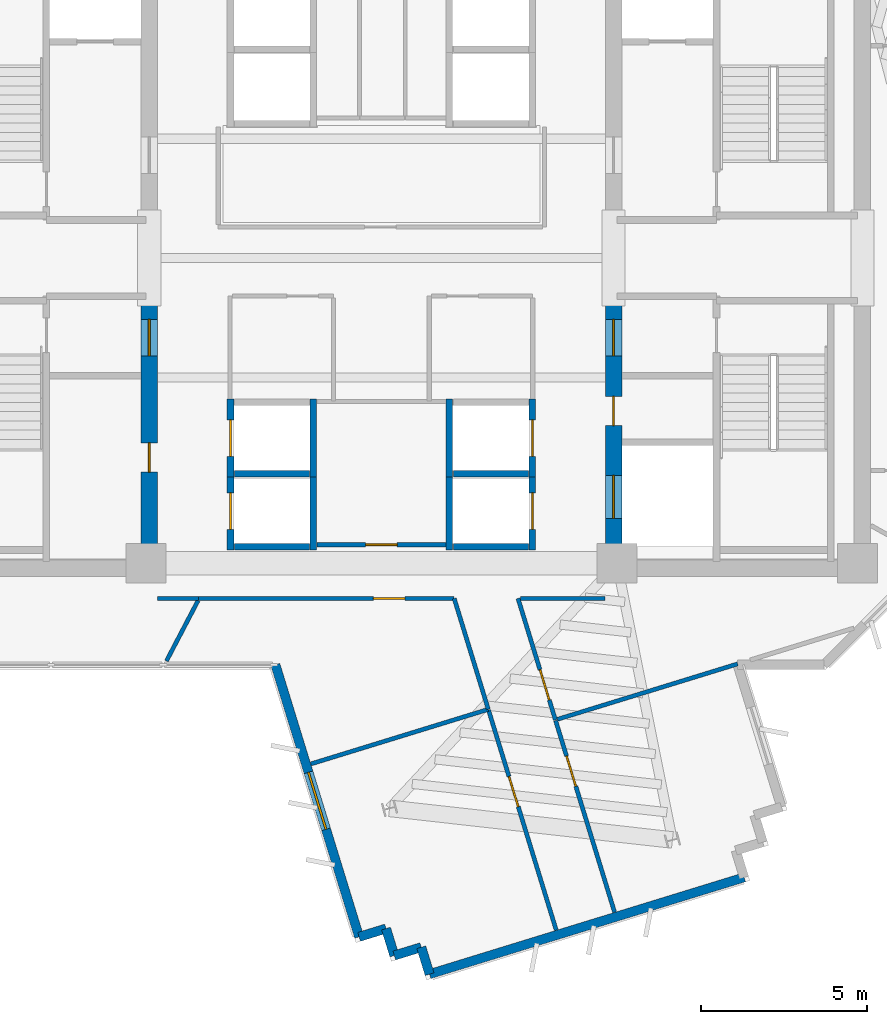
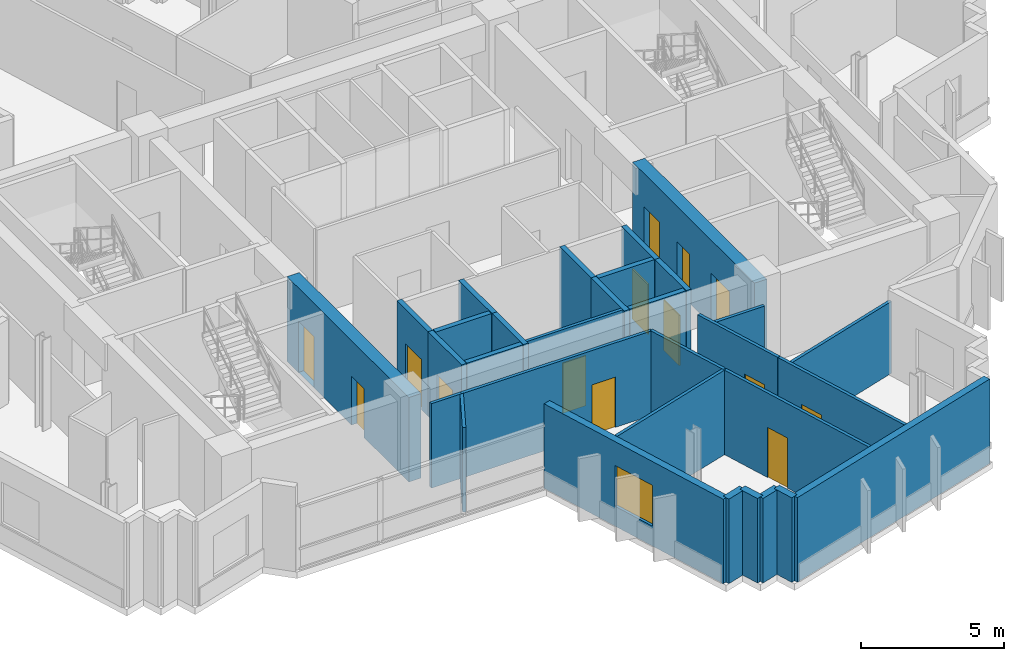
# One storey, part 5 of 13: 31 walls, 14 doors, 1 window, 15 openings.
"""IFC4 building model written with IfcOpenShell, lengths in metres."""

from ifc_helpers import new_model, si_unit, direction, frame, frame_2d, origin, place, context, subcontext, project, spatial, rectangle, extrude, source, transform, mapped, material, layer, layer_set, type_object, element, fill, save


model = new_model("IFC4")

# Units and contexts
model_context = context("Model", 3, precision=1e-05, world=origin(), true_north=direction((0.0, 1.0)))
body_context = subcontext(model_context, "Body", "Model", "MODEL_VIEW")
ifc_project = project(units=[si_unit("LENGTHUNIT", "METRE"), si_unit("AREAUNIT", "SQUARE_METRE"), si_unit("VOLUMEUNIT", "CUBIC_METRE"), si_unit("PLANEANGLEUNIT", "RADIAN"), si_unit("MASSUNIT", "GRAM", prefix="KILO")], contexts=[model_context])

# Site, building, storey
site_placement = place(None, origin())
site = spatial("IfcSite", under=ifc_project, at=site_placement, CompositionType="ELEMENT")
building_placement = place(site_placement, origin())
building = spatial("IfcBuilding", under=site, at=building_placement, Name="Zahravan Cultural Tower", CompositionType="ELEMENT")
storey_placement = place(building_placement, frame((0.0, 0.0, 217.5)))
storey = spatial("IfcBuildingStorey", under=building, at=storey_placement, Name="L51", CompositionType="ELEMENT", Elevation=217.5)

# Wall, openings, doors
ifc_material_1 = material(Name="Concrete C60/75", Category="concrete")
ifc_layer_1 = layer(ifc_material_1, 0.5)
ifc_layer_set_1 = layer_set([ifc_layer_1], Name="Concrete C60/75")
wall_type_1 = type_object("IfcWallType", Name="CW-SHEAR-500-C60", PredefinedType="SHEAR", material=ifc_layer_set_1)
wall_1_placement = place(storey_placement, frame((29.0, 17.39990234375, 0.0), z_axis=(0.0, 0.0, 1.0), x_axis=(0.0, 1.0, 0.0)))
wall_1 = element("IfcWall", 1, at=wall_1_placement, inside=storey, type_object=wall_type_1, Name="L51 Core Shear Wall CW-W-ES-L51", PredefinedType="SHEAR", context=body_context, shape_type="SweptSolid", body=[
    extrude(rectangle(XDim=8.550048828125, YDim=0.5, at=frame_2d((4.27490234375, 0.0))), origin(), (0.0, 0.0, 1.0), 3.6201171875),
])
opening_1_placement = place(wall_1_placement, frame((6.64990234375, 0.0, 0.0)))
opening_1 = element("IfcOpeningElement", 2, at=opening_1_placement, cuts=wall_1, Name="Opening D-L51-07", PredefinedType="OPENING", context=body_context, shape_type="SweptSolid", body=[
    extrude(rectangle(XDim=1.10009765625, YDim=2.199951171875, at=frame_2d((0.550048828125, 1.10009765625))), frame((0.0, 0.260009765625, 0.0), z_axis=(0.0, -1.0, 0.0), x_axis=(1.0, 0.0, 0.0)), (0.0, 0.0, 1.0), 0.52001953125),
])
opening_2_placement = place(wall_1_placement, frame((3.14990234375, 0.0, 0.0)))
opening_2 = element("IfcOpeningElement", 3, at=opening_2_placement, cuts=wall_1, Name="Opening D-L51-09", PredefinedType="OPENING", context=body_context, shape_type="SweptSolid", body=[
    extrude(rectangle(XDim=0.8798828125, YDim=2.10009765625, at=frame_2d((0.43994140625, 1.050048828125))), frame((0.0, 0.260009765625, 0.0), z_axis=(0.0, -1.0, 0.0), x_axis=(1.0, 0.0, 0.0)), (0.0, 0.0, 1.0), 0.52001953125),
])
ifc_material_2 = material(Name="Steel ASTM A572 Grade 50", Category="steel")
door_type_1 = type_object("IfcDoorType", Name="DR-LOBBY-1100", OperationType="NOTDEFINED", PredefinedType="DOOR", material=ifc_material_2)
shared_shape_1 = source(origin(), body_context, "Body", "SweptSolid", [
    extrude(rectangle(XDim=1.10009765625, YDim=2.199951171875, at=frame_2d((0.550048828125, 1.10009765625))), frame((0.0, 0.02490234375, 0.0), z_axis=(0.0, -1.0, 0.0), x_axis=(1.0, 0.0, 0.0)), (0.0, 0.0, 1.0), 0.050048828125),
])
door_1_placement = place(opening_1_placement, origin())
door_1 = element("IfcDoor", 4, at=door_1_placement, inside=storey, type_object=door_type_1, Name="L51 Door D-L51-07", OperationType="SINGLE_SWING_RIGHT", OverallHeight=2.199951171875, OverallWidth=1.10009765625, PredefinedType="DOOR", context=body_context, shape_type="MappedRepresentation", body=[
    mapped(shared_shape_1, transform((0.0, 0.0, 0.0), x_axis=(1.0, 0.0, 0.0), y_axis=(0.0, 1.0, 0.0), z_axis=(0.0, 0.0, 1.0), scale=1.0)),
])
fill(opening_1, door_1)
door_type_2 = type_object("IfcDoorType", Name="DR-SVC-880", OperationType="NOTDEFINED", PredefinedType="DOOR", material=ifc_material_2)
shared_shape_2 = source(origin(), body_context, "Body", "SweptSolid", [
    extrude(rectangle(XDim=0.8798828125, YDim=2.10009765625, at=frame_2d((0.43994140625, 1.050048828125))), frame((0.0, 0.02490234375, 0.0), z_axis=(0.0, -1.0, 0.0), x_axis=(1.0, 0.0, 0.0)), (0.0, 0.0, 1.0), 0.050048828125),
])
door_2_placement = place(opening_2_placement, origin())
door_2 = element("IfcDoor", 5, at=door_2_placement, inside=storey, type_object=door_type_2, Name="L51 Door D-L51-09", OperationType="SINGLE_SWING_RIGHT", OverallHeight=2.10009765625, OverallWidth=0.8798828125, PredefinedType="DOOR", context=body_context, shape_type="MappedRepresentation", body=[
    mapped(shared_shape_2, transform((0.0, 0.0, 0.0), x_axis=(1.0, 0.0, 0.0), y_axis=(0.0, 1.0, 0.0), z_axis=(0.0, 0.0, 1.0), scale=1.0)),
])
fill(opening_2, door_2)

wall_2_placement = place(storey_placement, frame((43.0, 17.39990234375, 0.0), z_axis=(0.0, 0.0, 1.0), x_axis=(0.0, 1.0, 0.0)))
wall_2 = element("IfcWall", 6, at=wall_2_placement, inside=storey, type_object=wall_type_1, Name="L51 Core Shear Wall CW-E-WS-L51", PredefinedType="SHEAR", context=body_context, shape_type="SweptSolid", body=[
    extrude(rectangle(XDim=8.550048828125, YDim=0.5, at=frame_2d((4.27490234375, 0.0))), origin(), (0.0, 0.0, 1.0), 3.6201171875),
])
opening_3_placement = place(wall_2_placement, frame((6.64990234375, 0.0, 0.0)))
opening_3 = element("IfcOpeningElement", 7, at=opening_3_placement, cuts=wall_2, Name="Opening D-L51-08", PredefinedType="OPENING", context=body_context, shape_type="SweptSolid", body=[
    extrude(rectangle(XDim=1.10009765625, YDim=2.199951171875, at=frame_2d((0.550048828125, 1.10009765625))), frame((0.0, 0.260009765625, 0.0), z_axis=(0.0, -1.0, 0.0), x_axis=(1.0, 0.0, 0.0)), (0.0, 0.0, 1.0), 0.52001953125),
])
opening_4_placement = place(wall_2_placement, frame((1.75, 0.0, 0.0)))
opening_4 = element("IfcOpeningElement", 8, at=opening_4_placement, cuts=wall_2, Name="Opening LD-L51-03", PredefinedType="OPENING", context=body_context, shape_type="SweptSolid", body=[
    extrude(rectangle(XDim=1.300048828125, YDim=2.199951171875, at=frame_2d((0.64990234375, 1.10009765625))), frame((0.0, 0.260009765625, 0.0), z_axis=(0.0, -1.0, 0.0), x_axis=(1.0, 0.0, 0.0)), (0.0, 0.0, 1.0), 0.52001953125),
])
opening_5_placement = place(wall_2_placement, frame((4.550048828125, 0.0, 0.0)))
opening_5 = element("IfcOpeningElement", 9, at=opening_5_placement, cuts=wall_2, Name="Opening D-L51-10", PredefinedType="OPENING", context=body_context, shape_type="SweptSolid", body=[
    extrude(rectangle(XDim=0.8798828125, YDim=2.10009765625, at=frame_2d((0.43994140625, 1.050048828125))), frame((0.0, 0.260009765625, 0.0), z_axis=(0.0, -1.0, 0.0), x_axis=(1.0, 0.0, 0.0)), (0.0, 0.0, 1.0), 0.52001953125),
])
door_3_placement = place(opening_3_placement, origin())
door_3 = element("IfcDoor", 10, at=door_3_placement, inside=storey, type_object=door_type_1, Name="L51 Door D-L51-08", OperationType="SINGLE_SWING_LEFT", OverallHeight=2.199951171875, OverallWidth=1.10009765625, PredefinedType="DOOR", context=body_context, shape_type="MappedRepresentation", body=[
    mapped(shared_shape_1, transform((0.0, 0.0, 0.0), x_axis=(1.0, 0.0, 0.0), y_axis=(0.0, 1.0, 0.0), z_axis=(0.0, 0.0, 1.0), scale=1.0)),
])
fill(opening_3, door_3)
door_type_3 = type_object("IfcDoorType", Name="DR-LIFT-1300", OperationType="DOUBLE_DOOR_SLIDING", PredefinedType="DOOR", material=ifc_material_2)
shared_shape_3 = source(origin(), body_context, "Body", "SweptSolid", [
    extrude(rectangle(XDim=1.300048828125, YDim=2.199951171875, at=frame_2d((0.64990234375, 1.10009765625))), frame((0.0, 0.02490234375, 0.0), z_axis=(0.0, -1.0, 0.0), x_axis=(1.0, 0.0, 0.0)), (0.0, 0.0, 1.0), 0.050048828125),
])
door_4_placement = place(opening_4_placement, origin())
door_4 = element("IfcDoor", 11, at=door_4_placement, inside=storey, type_object=door_type_3, Name="L51 Door LD-L51-03", OperationType="DOUBLE_DOOR_SLIDING", OverallHeight=2.199951171875, OverallWidth=1.300048828125, PredefinedType="DOOR", context=body_context, shape_type="MappedRepresentation", body=[
    mapped(shared_shape_3, transform((0.0, 0.0, 0.0), x_axis=(1.0, 0.0, 0.0), y_axis=(0.0, 1.0, 0.0), z_axis=(0.0, 0.0, 1.0), scale=1.0)),
])
fill(opening_4, door_4)
door_5_placement = place(opening_5_placement, origin())
door_5 = element("IfcDoor", 12, at=door_5_placement, inside=storey, type_object=door_type_2, Name="L51 Door D-L51-10", OperationType="SINGLE_SWING_LEFT", OverallHeight=2.10009765625, OverallWidth=0.8798828125, PredefinedType="DOOR", context=body_context, shape_type="MappedRepresentation", body=[
    mapped(shared_shape_2, transform((0.0, 0.0, 0.0), x_axis=(1.0, 0.0, 0.0), y_axis=(0.0, 1.0, 0.0), z_axis=(0.0, 0.0, 1.0), scale=1.0)),
])
fill(opening_5, door_5)

# Wall, opening, window
ifc_material_3 = material(Name="Precast concrete C40/50", Category="concrete")
ifc_layer_2 = layer(ifc_material_3, 0.280029296875)
ifc_layer_set_2 = layer_set([ifc_layer_2], Name="Precast concrete C40/50")
wall_type_2 = type_object("IfcWallType", Name="EW-TC-280", PredefinedType="SOLIDWALL", material=ifc_layer_set_2)
wall_3_placement = place(storey_placement, frame((35.326904296875, 6.53759765625, 0.0), z_axis=(0.0, 0.0, 1.0), x_axis=(-0.294019877333, 0.955799305154, 0.0)))
wall_3 = element("IfcWall", 13, at=wall_3_placement, inside=storey, type_object=wall_type_2, Name="L51 Exterior Masonry Frame Wall 25", PredefinedType="SOLIDWALL", context=body_context, shape_type="SweptSolid", body=[
    extrude(rectangle(XDim=8.581787109375, YDim=0.280029296875, at=frame_2d((4.291015625, 0.0))), origin(), (0.0, 0.0, 1.0), 3.6201171875),
])
opening_6_placement = place(wall_3_placement, frame((3.39111328125, 0.0, 0.85009765625)))
opening_6 = element("IfcOpeningElement", 14, at=opening_6_placement, cuts=wall_3, Name="Opening WN-02", PredefinedType="OPENING", context=body_context, shape_type="SweptSolid", body=[
    extrude(rectangle(XDim=1.800048828125, YDim=1.75, at=frame_2d((0.89990234375, 0.875))), frame((0.0, 0.14990234375, 0.0), z_axis=(0.0, -1.0, 0.0), x_axis=(1.0, 0.0, 0.0)), (0.0, 0.0, 1.0), 0.300048828125),
])
ifc_material_4 = material(Name="Low-E solar-control double glazing", Category="glass")
window_type = type_object("IfcWindowType", Name="WN-REC-1800X1750", PartitioningType="DOUBLE_PANEL_VERTICAL", PredefinedType="WINDOW", material=ifc_material_4)
shared_shape_4 = source(origin(), body_context, "Body", "SweptSolid", [
    extrude(rectangle(XDim=1.800048828125, YDim=1.75, at=frame_2d((0.89990234375, 0.875))), frame((0.0, 0.030029296875, 0.0), z_axis=(0.0, -1.0, 0.0), x_axis=(1.0, 0.0, 0.0)), (0.0, 0.0, 1.0), 0.06005859375),
])
window_placement = place(opening_6_placement, origin())
window = element("IfcWindow", 15, at=window_placement, inside=storey, type_object=window_type, Name="L51 Recessed Solar Window 05", OverallHeight=1.75, OverallWidth=1.800048828125, PartitioningType="DOUBLE_PANEL_VERTICAL", PredefinedType="WINDOW", context=body_context, shape_type="MappedRepresentation", body=[
    mapped(shared_shape_4, transform((0.0, 0.0, 0.0), x_axis=(1.0, 0.0, 0.0), y_axis=(0.0, 1.0, 0.0), z_axis=(0.0, 0.0, 1.0), scale=1.0)),
])
fill(opening_6, window)

# Wall, opening, door
ifc_material_5 = material(Name="Gypsum plasterboard partition")
ifc_layer_3 = layer(ifc_material_5, 0.125)
ifc_layer_set_3 = layer_set([ifc_layer_3], Name="Gypsum plasterboard partition")
wall_type_3 = type_object("IfcWallType", Name="W-PART-125", PredefinedType="PARTITIONING", material=ifc_layer_set_3)
wall_4_placement = place(storey_placement, frame((37.945068359375, 18.360107421875, 0.0), z_axis=(0.0, 0.0, 1.0), x_axis=(-1.0, 0.0, 0.0)))
wall_4 = element("IfcWall", 16, at=wall_4_placement, inside=storey, type_object=wall_type_3, Name="L51 Interior Wall 073", PredefinedType="PARTITIONING", context=body_context, shape_type="SweptSolid", body=[
    extrude(rectangle(XDim=3.89013671875, YDim=0.125, at=frame_2d((1.945068359375, 0.0))), origin(), (0.0, 0.0, 1.0), 3.6201171875),
])
opening_7_placement = place(wall_4_placement, frame((1.469970703125, 0.0, 0.0)))
opening_7 = element("IfcOpeningElement", 17, at=opening_7_placement, cuts=wall_4, Name="Opening D-L51-17", PredefinedType="OPENING", context=body_context, shape_type="SweptSolid", body=[
    extrude(rectangle(XDim=0.949951171875, YDim=2.14990234375, at=frame_2d((0.47509765625, 1.074951171875))), frame((0.0, 0.072509765625, 0.0), z_axis=(0.0, -1.0, 0.0), x_axis=(1.0, 0.0, 0.0)), (0.0, 0.0, 1.0), 0.14501953125),
])
ifc_material_6 = material(Name="Anodised bronze-aluminium mullion", Category="aluminium")
door_type_4 = type_object("IfcDoorType", Name="DR-ROOM-950", OperationType="NOTDEFINED", PredefinedType="DOOR", material=ifc_material_6)
shared_shape_5 = source(origin(), body_context, "Body", "SweptSolid", [
    extrude(rectangle(XDim=0.949951171875, YDim=2.14990234375, at=frame_2d((0.47509765625, 1.074951171875))), frame((0.0, 0.02490234375, 0.0), z_axis=(0.0, -1.0, 0.0), x_axis=(1.0, 0.0, 0.0)), (0.0, 0.0, 1.0), 0.050048828125),
])
door_6_placement = place(opening_7_placement, origin())
door_6 = element("IfcDoor", 18, at=door_6_placement, inside=storey, type_object=door_type_4, Name="L51 Door D-L51-17", OperationType="SINGLE_SWING_RIGHT", OverallHeight=2.14990234375, OverallWidth=0.949951171875, PredefinedType="DOOR", context=body_context, shape_type="MappedRepresentation", body=[
    mapped(shared_shape_5, transform((0.0, 0.0, 0.0), x_axis=(1.0, 0.0, 0.0), y_axis=(0.0, 1.0, 0.0), z_axis=(0.0, 0.0, 1.0), scale=1.0)),
])
fill(opening_7, door_6)

wall_5_placement = place(storey_placement, frame((41.245849609375, 13.076904296875, 0.0), z_axis=(0.0, 0.0, 1.0), x_axis=(-0.294050037582, 0.955790026836, 0.0)))
wall_5 = element("IfcWall", 19, at=wall_5_placement, inside=storey, type_object=wall_type_3, Name="L51 Interior Wall 074", PredefinedType="PARTITIONING", context=body_context, shape_type="SweptSolid", body=[
    extrude(rectangle(XDim=3.83251953125, YDim=0.125, at=frame_2d((1.916259765625, 0.0))), origin(), (0.0, 0.0, 1.0), 3.6201171875),
])
opening_8_placement = place(wall_5_placement, frame((0.634033203125, 0.0, 0.0)))
opening_8 = element("IfcOpeningElement", 20, at=opening_8_placement, cuts=wall_5, Name="Opening D-L51-27", PredefinedType="OPENING", context=body_context, shape_type="SweptSolid", body=[
    extrude(rectangle(XDim=0.949951171875, YDim=2.14990234375, at=frame_2d((0.47509765625, 1.074951171875))), frame((0.0, 0.072509765625, 0.0), z_axis=(0.0, -1.0, 0.0), x_axis=(1.0, 0.0, 0.0)), (0.0, 0.0, 1.0), 0.14501953125),
])
door_7_placement = place(opening_8_placement, origin())
door_7 = element("IfcDoor", 21, at=door_7_placement, inside=storey, type_object=door_type_4, Name="L51 Door D-L51-27", OperationType="SINGLE_SWING_RIGHT", OverallHeight=2.14990234375, OverallWidth=0.949951171875, PredefinedType="DOOR", context=body_context, shape_type="MappedRepresentation", body=[
    mapped(shared_shape_5, transform((0.0, 0.0, 0.0), x_axis=(1.0, 0.0, 0.0), y_axis=(0.0, 1.0, 0.0), z_axis=(0.0, 0.0, 1.0), scale=1.0)),
])
fill(opening_8, door_7)

wall_6_placement = place(storey_placement, frame((30.48974609375, 16.739990234375, 0.0), z_axis=(0.0, 0.0, 1.0), x_axis=(1.0, 0.0, 0.0)))
wall_6 = element("IfcWall", 22, at=wall_6_placement, inside=storey, type_object=wall_type_3, Name="L51 Interior Wall 083", PredefinedType="PARTITIONING", context=body_context, shape_type="SweptSolid", body=[
    extrude(rectangle(XDim=7.7041015625, YDim=0.125, at=frame_2d((3.85205078125, 0.0))), origin(), (0.0, 0.0, 1.0), 3.6201171875),
])
opening_9_placement = place(wall_6_placement, frame((5.26806640625, 0.0, 0.0)))
opening_9 = element("IfcOpeningElement", 23, at=opening_9_placement, cuts=wall_6, Name="Opening D-L51-25", PredefinedType="OPENING", context=body_context, shape_type="SweptSolid", body=[
    extrude(rectangle(XDim=0.949951171875, YDim=2.14990234375, at=frame_2d((0.47509765625, 1.074951171875))), frame((0.0, 0.072509765625, 0.0), z_axis=(0.0, -1.0, 0.0), x_axis=(1.0, 0.0, 0.0)), (0.0, 0.0, 1.0), 0.14501953125),
])
door_8_placement = place(opening_9_placement, origin())
door_8 = element("IfcDoor", 24, at=door_8_placement, inside=storey, type_object=door_type_4, Name="L51 Door D-L51-25", OperationType="SINGLE_SWING_RIGHT", OverallHeight=2.14990234375, OverallWidth=0.949951171875, PredefinedType="DOOR", context=body_context, shape_type="MappedRepresentation", body=[
    mapped(shared_shape_5, transform((0.0, 0.0, 0.0), x_axis=(1.0, 0.0, 0.0), y_axis=(0.0, 1.0, 0.0), z_axis=(0.0, 0.0, 1.0), scale=1.0)),
])
fill(opening_9, door_8)

wall_7_placement = place(storey_placement, frame((43.029296875, 7.280029296875, 0.0), z_axis=(0.0, 0.0, 1.0), x_axis=(-0.294054630952, 0.955788613667, 0.0)))
wall_7 = element("IfcWall", 25, at=wall_7_placement, inside=storey, type_object=wall_type_3, Name="L51 Interior Wall 090", PredefinedType="PARTITIONING", context=body_context, shape_type="SweptSolid", body=[
    extrude(rectangle(XDim=6.045166015625, YDim=0.125, at=frame_2d((3.0224609375, 0.0))), origin(), (0.0, 0.0, 1.0), 3.6201171875),
])
opening_10_placement = place(wall_7_placement, frame((3.97412109375, 0.0, 0.0)))
opening_10 = element("IfcOpeningElement", 26, at=opening_10_placement, cuts=wall_7, Name="Opening D-L51-28", PredefinedType="OPENING", context=body_context, shape_type="SweptSolid", body=[
    extrude(rectangle(XDim=0.949951171875, YDim=2.14990234375, at=frame_2d((0.47509765625, 1.074951171875))), frame((0.0, 0.072509765625, 0.0), z_axis=(0.0, -1.0, 0.0), x_axis=(1.0, 0.0, 0.0)), (0.0, 0.0, 1.0), 0.14501953125),
])
door_9_placement = place(opening_10_placement, origin())
door_9 = element("IfcDoor", 27, at=door_9_placement, inside=storey, type_object=door_type_4, Name="L51 Door D-L51-28", OperationType="SINGLE_SWING_LEFT", OverallHeight=2.14990234375, OverallWidth=0.949951171875, PredefinedType="DOOR", context=body_context, shape_type="MappedRepresentation", body=[
    mapped(shared_shape_5, transform((0.0, 0.0, 0.0), x_axis=(1.0, 0.0, 0.0), y_axis=(0.0, 1.0, 0.0), z_axis=(0.0, 0.0, 1.0), scale=1.0)),
])
fill(opening_10, door_9)

wall_8_placement = place(storey_placement, frame((39.228515625, 13.377197265625, 0.0), z_axis=(0.0, 0.0, 1.0), x_axis=(0.294016682873, -0.955800287818, 0.0)))
wall_8 = element("IfcWall", 28, at=wall_8_placement, inside=storey, type_object=wall_type_3, Name="L51 Interior Wall 095", PredefinedType="PARTITIONING", context=body_context, shape_type="SweptSolid", body=[
    extrude(rectangle(XDim=6.945068359375, YDim=0.125, at=frame_2d((3.47265625, 0.0))), origin(), (0.0, 0.0, 1.0), 3.6201171875),
])
opening_11_placement = place(wall_8_placement, frame((2.098388671875, 0.0, 0.0)))
opening_11 = element("IfcOpeningElement", 29, at=opening_11_placement, cuts=wall_8, Name="Opening D-L51-26", PredefinedType="OPENING", context=body_context, shape_type="SweptSolid", body=[
    extrude(rectangle(XDim=0.949951171875, YDim=2.14990234375, at=frame_2d((0.47509765625, 1.074951171875))), frame((0.0, 0.072509765625, 0.0), z_axis=(0.0, -1.0, 0.0), x_axis=(1.0, 0.0, 0.0)), (0.0, 0.0, 1.0), 0.14501953125),
])
door_10_placement = place(opening_11_placement, origin())
door_10 = element("IfcDoor", 30, at=door_10_placement, inside=storey, type_object=door_type_4, Name="L51 Door D-L51-26", OperationType="SINGLE_SWING_LEFT", OverallHeight=2.14990234375, OverallWidth=0.949951171875, PredefinedType="DOOR", context=body_context, shape_type="MappedRepresentation", body=[
    mapped(shared_shape_5, transform((0.0, 0.0, 0.0), x_axis=(1.0, 0.0, 0.0), y_axis=(0.0, 1.0, 0.0), z_axis=(0.0, 0.0, 1.0), scale=1.0)),
])
fill(opening_11, door_10)

ifc_material_7 = material(Name="Concrete C45/55", Category="concrete")
ifc_layer_4 = layer(ifc_material_7, 0.199951171875)
ifc_layer_set_4 = layer_set([ifc_layer_4], Name="Concrete C45/55")
wall_type_4 = type_object("IfcWallType", Name="W-SHAFT-200", PredefinedType="SOLIDWALL", material=ifc_layer_set_4)
wall_9_placement = place(storey_placement, frame((31.449951171875, 20.39990234375, 0.0), z_axis=(0.0, 0.0, 1.0), x_axis=(0.0, 1.0, 0.0)))
wall_9 = element("IfcWall", 31, at=wall_9_placement, inside=storey, type_object=wall_type_4, Name="L51 Interior Wall 040", PredefinedType="SOLIDWALL", context=body_context, shape_type="SweptSolid", body=[
    extrude(rectangle(XDim=2.35009765625, YDim=0.199951171875, at=frame_2d((1.175048828125, 0.0))), origin(), (0.0, 0.0, 1.0), 3.6201171875),
])
opening_12_placement = place(wall_9_placement, frame((0.625, 0.0, 0.0)))
opening_12 = element("IfcOpeningElement", 32, at=opening_12_placement, cuts=wall_9, Name="Opening LD-L51-04", PredefinedType="OPENING", context=body_context, shape_type="SweptSolid", body=[
    extrude(rectangle(XDim=1.10009765625, YDim=2.14990234375, at=frame_2d((0.550048828125, 1.074951171875))), frame((0.0, 0.10986328125, 0.0), z_axis=(0.0, -1.0, 0.0), x_axis=(1.0, 0.0, 0.0)), (0.0, 0.0, 1.0), 0.219970703125),
])
door_type_5 = type_object("IfcDoorType", Name="DR-LIFT-1100", OperationType="DOUBLE_DOOR_SLIDING", PredefinedType="DOOR", material=ifc_material_2)
shared_shape_6 = source(origin(), body_context, "Body", "SweptSolid", [
    extrude(rectangle(XDim=1.10009765625, YDim=2.14990234375, at=frame_2d((0.550048828125, 1.074951171875))), frame((0.0, 0.02490234375, 0.0), z_axis=(0.0, -1.0, 0.0), x_axis=(1.0, 0.0, 0.0)), (0.0, 0.0, 1.0), 0.050048828125),
])
door_11_placement = place(opening_12_placement, origin())
door_11 = element("IfcDoor", 33, at=door_11_placement, inside=storey, type_object=door_type_5, Name="L51 Door LD-L51-04", OperationType="DOUBLE_DOOR_SLIDING", OverallHeight=2.14990234375, OverallWidth=1.10009765625, PredefinedType="DOOR", context=body_context, shape_type="MappedRepresentation", body=[
    mapped(shared_shape_6, transform((0.0, 0.0, 0.0), x_axis=(1.0, 0.0, 0.0), y_axis=(0.0, 1.0, 0.0), z_axis=(0.0, 0.0, 1.0), scale=1.0)),
])
fill(opening_12, door_11)

wall_10_placement = place(storey_placement, frame((31.449951171875, 18.199951171875, 0.0), z_axis=(0.0, 0.0, 1.0), x_axis=(0.0, 1.0, 0.0)))
wall_10 = element("IfcWall", 34, at=wall_10_placement, inside=storey, type_object=wall_type_4, Name="L51 Interior Wall 044", PredefinedType="SOLIDWALL", context=body_context, shape_type="SweptSolid", body=[
    extrude(rectangle(XDim=2.35009765625, YDim=0.199951171875, at=frame_2d((1.175048828125, 0.0))), origin(), (0.0, 0.0, 1.0), 3.6201171875),
])
opening_13_placement = place(wall_10_placement, frame((0.625, 0.0, 0.0)))
opening_13 = element("IfcOpeningElement", 35, at=opening_13_placement, cuts=wall_10, Name="Opening LD-L51-05", PredefinedType="OPENING", context=body_context, shape_type="SweptSolid", body=[
    extrude(rectangle(XDim=1.10009765625, YDim=2.14990234375, at=frame_2d((0.550048828125, 1.074951171875))), frame((0.0, 0.10986328125, 0.0), z_axis=(0.0, -1.0, 0.0), x_axis=(1.0, 0.0, 0.0)), (0.0, 0.0, 1.0), 0.219970703125),
])
door_12_placement = place(opening_13_placement, origin())
door_12 = element("IfcDoor", 36, at=door_12_placement, inside=storey, type_object=door_type_5, Name="L51 Door LD-L51-05", OperationType="DOUBLE_DOOR_SLIDING", OverallHeight=2.14990234375, OverallWidth=1.10009765625, PredefinedType="DOOR", context=body_context, shape_type="MappedRepresentation", body=[
    mapped(shared_shape_6, transform((0.0, 0.0, 0.0), x_axis=(1.0, 0.0, 0.0), y_axis=(0.0, 1.0, 0.0), z_axis=(0.0, 0.0, 1.0), scale=1.0)),
])
fill(opening_13, door_12)

wall_11_placement = place(storey_placement, frame((40.550048828125, 20.39990234375, 0.0), z_axis=(0.0, 0.0, 1.0), x_axis=(0.0, 1.0, 0.0)))
wall_11 = element("IfcWall", 37, at=wall_11_placement, inside=storey, type_object=wall_type_4, Name="L51 Interior Wall 048", PredefinedType="SOLIDWALL", context=body_context, shape_type="SweptSolid", body=[
    extrude(rectangle(XDim=2.35009765625, YDim=0.199951171875, at=frame_2d((1.175048828125, 0.0))), origin(), (0.0, 0.0, 1.0), 3.6201171875),
])
opening_14_placement = place(wall_11_placement, frame((0.625, 0.0, 0.0)))
opening_14 = element("IfcOpeningElement", 38, at=opening_14_placement, cuts=wall_11, Name="Opening LD-L51-06", PredefinedType="OPENING", context=body_context, shape_type="SweptSolid", body=[
    extrude(rectangle(XDim=1.10009765625, YDim=2.14990234375, at=frame_2d((0.550048828125, 1.074951171875))), frame((0.0, 0.10986328125, 0.0), z_axis=(0.0, -1.0, 0.0), x_axis=(1.0, 0.0, 0.0)), (0.0, 0.0, 1.0), 0.219970703125),
])
door_13_placement = place(opening_14_placement, origin())
door_13 = element("IfcDoor", 39, at=door_13_placement, inside=storey, type_object=door_type_5, Name="L51 Door LD-L51-06", OperationType="DOUBLE_DOOR_SLIDING", OverallHeight=2.14990234375, OverallWidth=1.10009765625, PredefinedType="DOOR", context=body_context, shape_type="MappedRepresentation", body=[
    mapped(shared_shape_6, transform((0.0, 0.0, 0.0), x_axis=(1.0, 0.0, 0.0), y_axis=(0.0, 1.0, 0.0), z_axis=(0.0, 0.0, 1.0), scale=1.0)),
])
fill(opening_14, door_13)

wall_12_placement = place(storey_placement, frame((40.550048828125, 18.199951171875, 0.0), z_axis=(0.0, 0.0, 1.0), x_axis=(0.0, 1.0, 0.0)))
wall_12 = element("IfcWall", 40, at=wall_12_placement, inside=storey, type_object=wall_type_4, Name="L51 Interior Wall 052", PredefinedType="SOLIDWALL", context=body_context, shape_type="SweptSolid", body=[
    extrude(rectangle(XDim=2.35009765625, YDim=0.199951171875, at=frame_2d((1.175048828125, 0.0))), origin(), (0.0, 0.0, 1.0), 3.6201171875),
])
opening_15_placement = place(wall_12_placement, frame((0.625, 0.0, 0.0)))
opening_15 = element("IfcOpeningElement", 41, at=opening_15_placement, cuts=wall_12, Name="Opening LD-L51-07", PredefinedType="OPENING", context=body_context, shape_type="SweptSolid", body=[
    extrude(rectangle(XDim=1.10009765625, YDim=2.14990234375, at=frame_2d((0.550048828125, 1.074951171875))), frame((0.0, 0.10986328125, 0.0), z_axis=(0.0, -1.0, 0.0), x_axis=(1.0, 0.0, 0.0)), (0.0, 0.0, 1.0), 0.219970703125),
])
door_14_placement = place(opening_15_placement, origin())
door_14 = element("IfcDoor", 42, at=door_14_placement, inside=storey, type_object=door_type_5, Name="L51 Door LD-L51-07", OperationType="DOUBLE_DOOR_SLIDING", OverallHeight=2.14990234375, OverallWidth=1.10009765625, PredefinedType="DOOR", context=body_context, shape_type="MappedRepresentation", body=[
    mapped(shared_shape_6, transform((0.0, 0.0, 0.0), x_axis=(1.0, 0.0, 0.0), y_axis=(0.0, 1.0, 0.0), z_axis=(0.0, 0.0, 1.0), scale=1.0)),
])
fill(opening_15, door_14)

# Walls
shared_shape_7 = source(origin(), body_context, "Body", "SweptSolid", [
    extrude(rectangle(XDim=0.85009765625, YDim=0.280029296875, at=frame_2d((0.425048828125, 0.0))), origin(), (0.0, 0.0, 1.0), 3.6201171875),
])
for number, where, z_axis, x_axis, name in (
    (43, (37.45166015625, 5.41259765625, 0.0), (0.0, 0.0, 1.0), (-0.293823460726, 0.955859704102, 0.0), "L51 Exterior Masonry Frame Wall 21"),
    (44, (37.201904296875, 6.22509765625, 0.0), (0.0, 0.0, 1.0), (-0.955779008722, -0.294085848838, 0.0), "L51 Exterior Masonry Frame Wall 22"),
    (45, (36.389404296875, 5.97509765625, 0.0), (0.0, 0.0, 1.0), (-0.294085848838, 0.955779008722, 0.0), "L51 Exterior Masonry Frame Wall 23"),
    (46, (36.139404296875, 6.78759765625, 0.0), (0.0, 0.0, 1.0), (-0.955779008722, -0.294085848838, 0.0), "L51 Exterior Masonry Frame Wall 24"),
):
    element("IfcWall", number, at=place(storey_placement, frame(where, z_axis=z_axis, x_axis=x_axis)), inside=storey, type_object=wall_type_2, Name=name, PredefinedType="SOLIDWALL", context=body_context, shape_type="MappedRepresentation", body=[
        mapped(shared_shape_7, transform((0.0, 0.0, 0.0), x_axis=(1.0, 0.0, 0.0), y_axis=(0.0, 1.0, 0.0), z_axis=(0.0, 0.0, 1.0), scale=1.0)),
    ])
shared_shape_8 = source(origin(), body_context, "Body", "SweptSolid", [
    extrude(rectangle(XDim=9.919921875, YDim=0.280029296875, at=frame_2d((4.9599609375, 0.0))), origin(), (0.0, 0.0, 1.0), 3.6201171875),
])
wall_13_placement = place(storey_placement, frame((46.93310546875, 8.329345703125, 0.0), z_axis=(0.0, 0.0, 1.0), x_axis=(-0.955796567368, -0.294028777175, 0.0)))
element("IfcWall", 47, at=wall_13_placement, inside=storey, type_object=wall_type_2, Name="L51 Exterior Masonry Frame Wall 20", PredefinedType="SOLIDWALL", context=body_context, shape_type="MappedRepresentation", body=[
    mapped(shared_shape_8, transform((0.0, 0.0, 0.0), x_axis=(1.0, 0.0, 0.0), y_axis=(0.0, 1.0, 0.0), z_axis=(0.0, 0.0, 1.0), scale=1.0)),
])
shared_shape_9 = source(origin(), body_context, "Body", "SweptSolid", [
    extrude(rectangle(XDim=2.260009765625, YDim=0.199951171875, at=frame_2d((1.1298828125, 0.0))), origin(), (0.0, 0.0, 1.0), 3.6201171875),
])
for number, where, z_axis, x_axis, name in (
    (48, (31.570068359375, 20.5, 0.0), (0.0, 0.0, 1.0), (1.0, 0.0, 0.0), "L51 Interior Wall 042"),
    (49, (31.570068359375, 18.300048828125, 0.0), (0.0, 0.0, 1.0), (1.0, 0.0, 0.0), "L51 Interior Wall 046"),
    (50, (38.169921875, 20.5, 0.0), (0.0, 0.0, 1.0), (1.0, 0.0, 0.0), "L51 Interior Wall 049"),
    (51, (38.169921875, 18.300048828125, 0.0), (0.0, 0.0, 1.0), (1.0, 0.0, 0.0), "L51 Interior Wall 053"),
):
    element("IfcWall", number, at=place(storey_placement, frame(where, z_axis=z_axis, x_axis=x_axis)), inside=storey, type_object=wall_type_4, Name=name, PredefinedType="SOLIDWALL", context=body_context, shape_type="MappedRepresentation", body=[
        mapped(shared_shape_9, transform((0.0, 0.0, 0.0), x_axis=(1.0, 0.0, 0.0), y_axis=(0.0, 1.0, 0.0), z_axis=(0.0, 0.0, 1.0), scale=1.0)),
    ])
shared_shape_10 = source(origin(), body_context, "Body", "SweptSolid", [
    extrude(rectangle(XDim=2.35009765625, YDim=0.199951171875, at=frame_2d((1.175048828125, 0.0))), origin(), (0.0, 0.0, 1.0), 3.6201171875),
])
for number, where, z_axis, x_axis, name in (
    (52, (33.949951171875, 20.39990234375, 0.0), (0.0, 0.0, 1.0), (0.0, 1.0, 0.0), "L51 Interior Wall 041"),
    (53, (33.949951171875, 18.199951171875, 0.0), (0.0, 0.0, 1.0), (0.0, 1.0, 0.0), "L51 Interior Wall 045"),
    (54, (38.050048828125, 20.39990234375, 0.0), (0.0, 0.0, 1.0), (0.0, 1.0, 0.0), "L51 Interior Wall 047"),
    (55, (38.050048828125, 18.199951171875, 0.0), (0.0, 0.0, 1.0), (0.0, 1.0, 0.0), "L51 Interior Wall 051"),
):
    element("IfcWall", number, at=place(storey_placement, frame(where, z_axis=z_axis, x_axis=x_axis)), inside=storey, type_object=wall_type_4, Name=name, PredefinedType="SOLIDWALL", context=body_context, shape_type="MappedRepresentation", body=[
        mapped(shared_shape_10, transform((0.0, 0.0, 0.0), x_axis=(1.0, 0.0, 0.0), y_axis=(0.0, 1.0, 0.0), z_axis=(0.0, 0.0, 1.0), scale=1.0)),
    ])
shared_shape_11 = source(origin(), body_context, "Body", "SweptSolid", [
    extrude(rectangle(XDim=2.556884765625, YDim=0.125, at=frame_2d((1.2783203125, 0.0))), origin(), (0.0, 0.0, 1.0), 3.0791015625),
])
wall_14_placement = place(storey_placement, frame((40.189697265625, 16.739990234375, 0.0), z_axis=(0.0, 0.0, 1.0), x_axis=(0.999999886036, 0.000477418068, 0.0)))
element("IfcWall", 56, at=wall_14_placement, inside=storey, type_object=wall_type_3, Name="L51 Interior Wall 075", PredefinedType="PARTITIONING", context=body_context, shape_type="MappedRepresentation", body=[
    mapped(shared_shape_11, transform((0.0, 0.0, 0.0), x_axis=(1.0, 0.0, 0.0), y_axis=(0.0, 1.0, 0.0), z_axis=(0.0, 0.0, 1.0), scale=1.0)),
])
shared_shape_12 = source(origin(), body_context, "Body", "SweptSolid", [
    extrude(rectangle(XDim=5.680419921875, YDim=0.125, at=frame_2d((2.84033203125, 0.0))), origin(), (0.0, 0.0, 1.0), 3.0791015625),
])
wall_15_placement = place(storey_placement, frame((46.73974609375, 14.76708984375, 0.0), z_axis=(0.0, 0.0, 1.0), x_axis=(-0.955800379324, -0.294016385402, 0.0)))
element("IfcWall", 57, at=wall_15_placement, inside=storey, type_object=wall_type_3, Name="L51 Interior Wall 077", PredefinedType="PARTITIONING", context=body_context, shape_type="MappedRepresentation", body=[
    mapped(shared_shape_12, transform((0.0, 0.0, 0.0), x_axis=(1.0, 0.0, 0.0), y_axis=(0.0, 1.0, 0.0), z_axis=(0.0, 0.0, 1.0), scale=1.0)),
])
shared_shape_13 = source(origin(), body_context, "Body", "SweptSolid", [
    extrude(rectangle(XDim=3.498291015625, YDim=0.125, at=frame_2d((1.7490234375, 0.0))), origin(), (0.0, 0.0, 1.0), 3.6201171875),
])
wall_16_placement = place(storey_placement, frame((38.19384765625, 16.739990234375, 0.0), z_axis=(0.0, 0.0, 1.0), x_axis=(0.294012288782, -0.955801639487, 0.0)))
element("IfcWall", 58, at=wall_16_placement, inside=storey, type_object=wall_type_3, Name="L51 Interior Wall 084", PredefinedType="PARTITIONING", context=body_context, shape_type="MappedRepresentation", body=[
    mapped(shared_shape_13, transform((0.0, 0.0, 0.0), x_axis=(1.0, 0.0, 0.0), y_axis=(0.0, 1.0, 0.0), z_axis=(0.0, 0.0, 1.0), scale=1.0)),
])
shared_shape_14 = source(origin(), body_context, "Body", "SweptSolid", [
    extrude(rectangle(XDim=5.594970703125, YDim=0.125, at=frame_2d((2.79736328125, 0.0))), origin(), (0.0, 0.0, 1.0), 3.6201171875),
])
wall_17_placement = place(storey_placement, frame((39.222412109375, 13.396240234375, 0.0), z_axis=(0.0, 0.0, 1.0), x_axis=(-0.955787499516, -0.294058252339, 0.0)))
element("IfcWall", 59, at=wall_17_placement, inside=storey, type_object=wall_type_3, Name="L51 Interior Wall 085", PredefinedType="PARTITIONING", context=body_context, shape_type="MappedRepresentation", body=[
    mapped(shared_shape_14, transform((0.0, 0.0, 0.0), x_axis=(1.0, 0.0, 0.0), y_axis=(0.0, 1.0, 0.0), z_axis=(0.0, 0.0, 1.0), scale=1.0)),
])
shared_shape_15 = source(origin(), body_context, "Body", "SweptSolid", [
    extrude(rectangle(XDim=2.057861328125, YDim=0.125, at=frame_2d((1.02880859375, 0.0))), origin(), (0.0, 0.0, 1.0), 3.6201171875),
])
wall_18_placement = place(storey_placement, frame((29.520263671875, 14.85498046875, 0.0), z_axis=(0.0, 0.0, 1.0), x_axis=(0.463745427916, 0.885968497232, 0.0)))
element("IfcWall", 60, at=wall_18_placement, inside=storey, type_object=wall_type_3, Name="L51 Interior Wall 086", PredefinedType="PARTITIONING", context=body_context, shape_type="MappedRepresentation", body=[
    mapped(shared_shape_15, transform((0.0, 0.0, 0.0), x_axis=(1.0, 0.0, 0.0), y_axis=(0.0, 1.0, 0.0), z_axis=(0.0, 0.0, 1.0), scale=1.0)),
])
shared_shape_16 = source(origin(), body_context, "Body", "SweptSolid", [
    extrude(rectangle(XDim=1.238037109375, YDim=0.125, at=frame_2d((0.619140625, 0.0))), origin(), (0.0, 0.0, 1.0), 3.6201171875),
])
wall_19_placement = place(storey_placement, frame((29.251708984375, 16.74267578125, 0.0), z_axis=(0.0, 0.0, 1.0), x_axis=(0.9999976473, -0.002169192293, 0.0)))
element("IfcWall", 61, at=wall_19_placement, inside=storey, type_object=wall_type_3, Name="L51 Interior Wall 106", PredefinedType="PARTITIONING", context=body_context, shape_type="MappedRepresentation", body=[
    mapped(shared_shape_16, transform((0.0, 0.0, 0.0), x_axis=(1.0, 0.0, 0.0), y_axis=(0.0, 1.0, 0.0), z_axis=(0.0, 0.0, 1.0), scale=1.0)),
])

save(model, "model.ifc")
